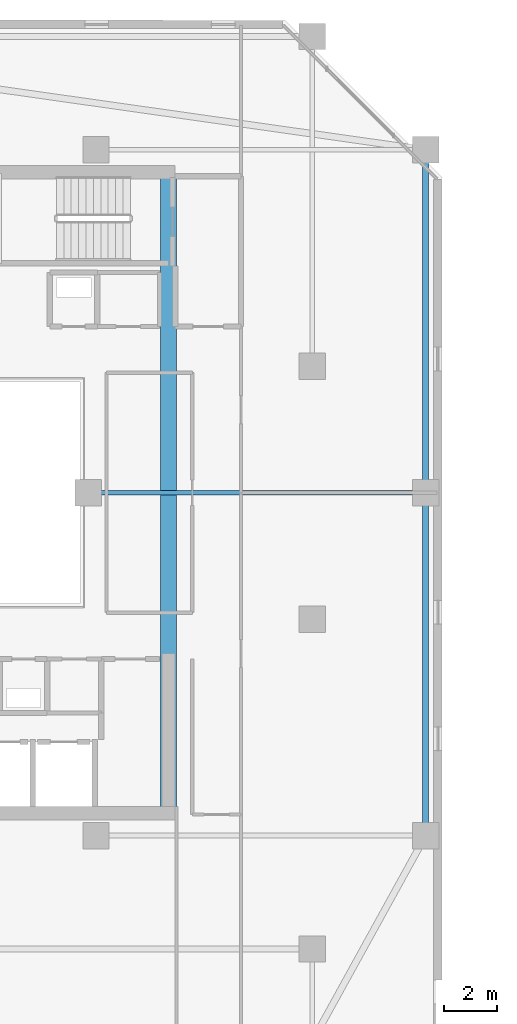
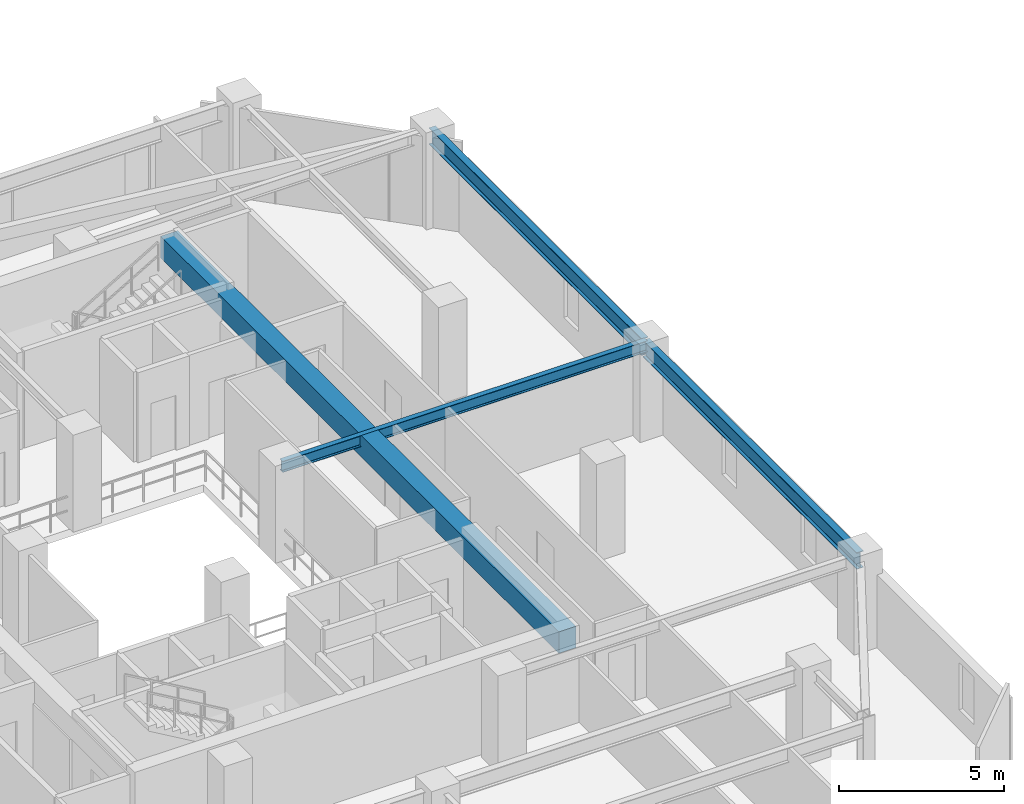
# One storey, part 6 of 31: 4 beams.
"""IFC4 building model written with IfcOpenShell, lengths in metres."""

from ifc_helpers import new_model, si_unit, direction, frame, origin, origin_2d, place, context, subcontext, project, spatial, rectangle, i_section, extrude, material, material_profile, profile_set, type_object, element, save


model = new_model("IFC4")

# Units and contexts
model_context = context("Model", 3, precision=1e-05, world=origin(), true_north=direction((0.0, 1.0)))
body_context = subcontext(model_context, "Body", "Model", "MODEL_VIEW")
ifc_project = project(units=[si_unit("LENGTHUNIT", "METRE"), si_unit("AREAUNIT", "SQUARE_METRE"), si_unit("VOLUMEUNIT", "CUBIC_METRE"), si_unit("PLANEANGLEUNIT", "RADIAN"), si_unit("MASSUNIT", "GRAM", prefix="KILO")], contexts=[model_context])

# Site, building, storey
site_placement = place(None, origin())
site = spatial("IfcSite", under=ifc_project, at=site_placement, CompositionType="ELEMENT")
building_placement = place(site_placement, origin())
building = spatial("IfcBuilding", under=site, at=building_placement, Name="Thornwick Lancets Civic Towers", CompositionType="ELEMENT")
storey_placement = place(building_placement, frame((0.0, 0.0, 233.10009765625)))
storey = spatial("IfcBuildingStorey", under=building, at=storey_placement, Name="L62", CompositionType="ELEMENT", Elevation=233.10009765625)

# Beams
ifc_material_1 = material(Name="Concrete C60/75", Category="concrete")
ifc_material_profile_1 = material_profile(ifc_material_1, rectangle(XDim=0.60009765625, YDim=0.800048828125, at=origin_2d()), Name="RC 600x800")
ifc_profile_set_1 = profile_set([ifc_material_profile_1], Name="Concrete C60/75")
beam_type_1 = type_object("IfcBeamType", Name="BM_COUP_RC800", PredefinedType="BEAM", material=ifc_profile_set_1)
beam_1_placement = place(storey_placement, frame((33.050048828125, 14.89990234375, 2.9599609375), z_axis=(0.0, 1.0, 0.0), x_axis=(-1.0, 0.0, 0.0)))
element("IfcBeam", 1, at=beam_1_placement, inside=storey, type_object=beam_type_1, Name="CB-L62-A1", PredefinedType="BEAM", context=body_context, shape_type="SweptSolid", body=[
    extrude(rectangle(XDim=0.60009765625, YDim=0.800048828125, at=origin_2d()), origin(), (0.0, 0.0, 1.0), 24.2001953125),
])
ifc_material_2 = material(Name="Steel S355JR", Category="steel")
ifc_material_profile_2 = material_profile(ifc_material_2, i_section(OverallWidth=0.230224609375, OverallDepth=0.6171875, WebThickness=0.01318359375, FlangeThickness=0.022216796875, FilletRadius=0.0126953125, at=origin_2d()), Name="UKB 610x229x140")
ifc_profile_set_2 = profile_set([ifc_material_profile_2], Name="Steel S355JR")
beam_type_2 = type_object("IfcBeamType", Name="BM_GIRD_610_140", PredefinedType="BEAM", material=ifc_profile_set_2)
beam_2_placement = place(storey_placement, frame((42.800048828125, 14.0, 3.05126953125), z_axis=(0.0, 1.0, 0.0), x_axis=(-1.0, 0.0, 0.0)))
element("IfcBeam", 2, at=beam_2_placement, inside=storey, type_object=beam_type_2, Name="BM-SPINE-L62-A-3-4", PredefinedType="BEAM", context=body_context, shape_type="SweptSolid", body=[
    extrude(i_section(OverallWidth=0.230224609375, OverallDepth=0.6171875, WebThickness=0.01318359375, FlangeThickness=0.022216796875, FilletRadius=0.0126953125, at=origin_2d()), origin(), (0.0, 0.0, 1.0), 13.0),
])
beam_3_placement = place(storey_placement, frame((42.800048828125, 27.080078125, 3.05126953125), z_axis=(0.0, 1.0, 0.0), x_axis=(-1.0, 0.0, 0.0)))
element("IfcBeam", 3, at=beam_3_placement, inside=storey, type_object=beam_type_2, Name="BM-SPINE-L62-A-4-5", PredefinedType="BEAM", context=body_context, shape_type="SweptSolid", body=[
    extrude(i_section(OverallWidth=0.230224609375, OverallDepth=0.6171875, WebThickness=0.01318359375, FlangeThickness=0.022216796875, FilletRadius=0.0126953125, at=origin_2d()), origin(), (0.0, 0.0, 1.0), 12.919921875),
])
ifc_material_profile_3 = material_profile(ifc_material_2, i_section(OverallWidth=0.179443359375, OverallDepth=0.412841796875, WebThickness=0.009521484375, FlangeThickness=0.01611328125, FilletRadius=0.01025390625, at=origin_2d()), Name="UKB 406x178x74")
ifc_profile_set_3 = profile_set([ifc_material_profile_3], Name="Steel S355JR")
beam_type_3 = type_object("IfcBeamType", Name="BM_JOIST_406_74", PredefinedType="JOIST", material=ifc_profile_set_3)
beam_4_placement = place(storey_placement, frame((30.0, 27.0, 3.153564453125), z_axis=(1.0, 0.0, 0.0), x_axis=(0.0, 1.0, 0.0)))
element("IfcBeam", 4, at=beam_4_placement, inside=storey, type_object=beam_type_3, Name="BM-RADIN-L62-A05", PredefinedType="JOIST", context=body_context, shape_type="SweptSolid", body=[
    extrude(i_section(OverallWidth=0.179443359375, OverallDepth=0.412841796875, WebThickness=0.009521484375, FlangeThickness=0.01611328125, FilletRadius=0.01025390625, at=origin_2d()), origin(), (0.0, 0.0, 1.0), 12.800048828125),
])

save(model, "model.ifc")
